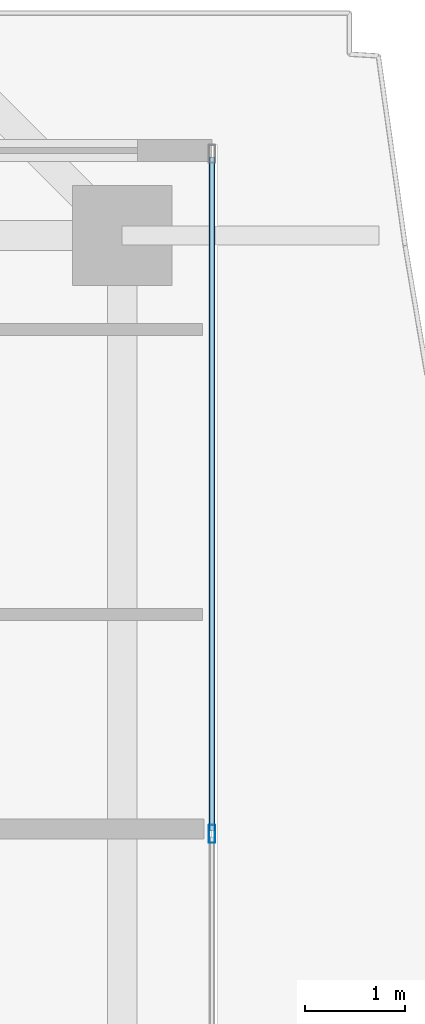
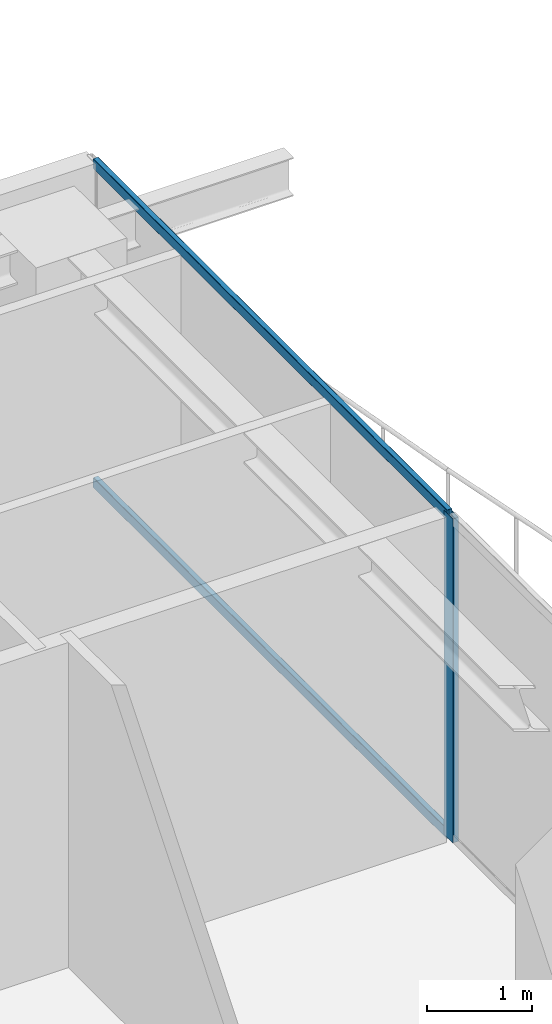
# One storey, part 26 of 42: 3 members, 1 element without a shape of its own.
"""IFC4 building model written with IfcOpenShell, lengths in metres."""

import ifcopenshell
import ifcopenshell.guid

model = None  # the IFC model being written
_history = None  # IfcOwnerHistory: only IFC2X3 demands one
_inside = {}  # id of a spatial element -> (the spatial element, [elements in it])
_under = {}  # id of a project, library or spatial element -> (it, [spatial elements below it])
_declared = {}  # id of a project -> (the project, [libraries it declares])
_typed = {}  # id of a type object -> (the type object, [elements of that type])
_made_of = {}  # id of a material, layer set ... -> (it, [elements and type objects made of it])


def new_model(schema):
    """Start an empty IFC model of exactly this schema.

    Asked for "IFC4X3", IfcOpenShell would pick the latest addendum, in which some entities
    have other attributes; the version numbers below select the first issue.
    IFC2X3 requires an IfcOwnerHistory on every rooted entity: one is made here for all.
    """
    global model, _history
    if schema == "IFC4X3":
        model = ifcopenshell.file(schema_version=(4, 3, 0, 0))
    else:
        model = ifcopenshell.file(schema=schema)
    _inside.clear()
    _under.clear()
    _declared.clear()
    _typed.clear()
    _made_of.clear()
    _history = None
    if model.schema == "IFC2X3":
        org = make("IfcOrganization", Name="unknown")
        user = make(
            "IfcPersonAndOrganization",
            ThePerson=make("IfcPerson", FamilyName="unknown"),
            TheOrganization=org,
        )
        app = make(
            "IfcApplication",
            ApplicationDeveloper=org,
            Version="unknown",
            ApplicationFullName="unknown",
            ApplicationIdentifier="unknown",
        )
        _history = make(
            "IfcOwnerHistory",
            OwningUser=user,
            OwningApplication=app,
            ChangeAction="ADDED",
            CreationDate=0,
        )
    return model


def make(cls, **values):
    """One entity of the class cls with the attributes given. An attribute that is None is left unset."""
    return model.create_entity(
        cls, **{name: value for name, value in values.items() if value is not None}
    )


def rooted(cls, **values):
    """An entity with a GlobalId (a new one), such as an element, a storey or a relation."""
    return make(cls, GlobalId=ifcopenshell.guid.new(), OwnerHistory=_history, **values)


def si_unit(unit_type, name, prefix=None):
    """IfcSIUnit, for example si_unit("LENGTHUNIT", "METRE", prefix="MILLI")."""
    return make("IfcSIUnit", UnitType=unit_type, Prefix=prefix, Name=name)


def assignment(units):
    """IfcUnitAssignment: the units of a project."""
    return None if units is None else make("IfcUnitAssignment", Units=units)


def point(xyz):
    """IfcCartesianPoint."""
    return None if xyz is None else make("IfcCartesianPoint", Coordinates=xyz)


def direction(xyz):
    """IfcDirection."""
    return None if xyz is None else make("IfcDirection", DirectionRatios=xyz)


def frame(location, z_axis=None, x_axis=None):
    """IfcAxis2Placement3D, a coordinate frame: its origin and axes. An axis left out is left unset."""
    return make(
        "IfcAxis2Placement3D",
        Location=point(location),
        Axis=direction(z_axis),
        RefDirection=direction(x_axis),
    )


def frame_2d(location, x_axis=None):
    """IfcAxis2Placement2D, a coordinate frame in the plane: its origin and x axis."""
    return make(
        "IfcAxis2Placement2D", Location=point(location), RefDirection=direction(x_axis)
    )


def origin():
    """The frame at (0, 0, 0) with its axes left unset."""
    return frame((0.0, 0.0, 0.0))


def origin_2d():
    """The frame at (0, 0) in the plane with its x axis left unset."""
    return frame_2d((0.0, 0.0))


def place(relative_to, where):
    """IfcLocalPlacement: puts the frame where relative to a parent placement (None: the world)."""
    return make(
        "IfcLocalPlacement", PlacementRelTo=relative_to, RelativePlacement=where
    )


def context(
    kind, dimensions, precision=None, world=None, true_north=None, identifier=None
):
    """IfcGeometricRepresentationContext, for example the 3D "Model" context."""
    return make(
        "IfcGeometricRepresentationContext",
        ContextIdentifier=identifier,
        ContextType=kind,
        CoordinateSpaceDimension=dimensions,
        Precision=precision,
        WorldCoordinateSystem=world,
        TrueNorth=true_north,
    )


def subcontext(parent, identifier, kind, view, scale=None):
    """IfcGeometricRepresentationSubContext, for example "Body" below "Model"."""
    return make(
        "IfcGeometricRepresentationSubContext",
        ContextIdentifier=identifier,
        ContextType=kind,
        ParentContext=parent,
        TargetScale=scale,
        TargetView=view,
    )


def project(units=None, contexts=None):
    """IfcProject with its units and contexts."""
    return rooted(
        "IfcProject",
        Name="project",
        RepresentationContexts=contexts,
        UnitsInContext=assignment(units),
    )


def spatial(cls, under=None, at=None, **own):
    """A site, building, storey or space (cls), placed at a placement, below another one or the project."""
    s = rooted(cls, ObjectPlacement=at, **own)
    if under is not None:
        _under.setdefault(under.id(), (under, []))[1].append(s)
    return s


def profile(cls, at=None, kind="AREA", **sizes):
    """A parametric profile (cls). Its sizes go by their IFC names, for example OverallWidth=200.0."""
    return make(cls, ProfileType=kind, Position=at, **sizes)


def hollow_rectangle(**sizes):
    """IfcRectangleHollowProfileDef."""
    return profile("IfcRectangleHollowProfileDef", **sizes)


def extrude(swept, where, along, depth):
    """IfcExtrudedAreaSolid: the profile swept, set in the frame where, extruded along a direction by depth."""
    return make(
        "IfcExtrudedAreaSolid",
        SweptArea=swept,
        Position=where,
        ExtrudedDirection=direction(along),
        Depth=depth,
    )


def shape(context_of_items, identifier, shape_type, items):
    """IfcShapeRepresentation: the items that make up one representation, for example the "Body"."""
    return make(
        "IfcShapeRepresentation",
        ContextOfItems=context_of_items,
        RepresentationIdentifier=identifier,
        RepresentationType=shape_type,
        Items=items,
    )


def source(mapping_origin, context_of_items, identifier, shape_type, items):
    """IfcRepresentationMap: a shape defined once, which mapped items show again and again."""
    return make(
        "IfcRepresentationMap",
        MappingOrigin=mapping_origin,
        MappedRepresentation=shape(context_of_items, identifier, shape_type, items),
    )


def transform(
    local_origin,
    x_axis=None,
    y_axis=None,
    z_axis=None,
    scale=None,
    scale2=None,
    scale3=None,
    uniform=True,
):
    """IfcCartesianTransformationOperator3D, or its non-uniform kind. x_axis, y_axis, z_axis: its Axis1, 2, 3."""
    if uniform:
        return make(
            "IfcCartesianTransformationOperator3D",
            Axis1=direction(x_axis),
            Axis2=direction(y_axis),
            LocalOrigin=point(local_origin),
            Scale=scale,
            Axis3=direction(z_axis),
        )
    return make(
        "IfcCartesianTransformationOperator3DnonUniform",
        Axis1=direction(x_axis),
        Axis2=direction(y_axis),
        LocalOrigin=point(local_origin),
        Scale=scale,
        Axis3=direction(z_axis),
        Scale2=scale2,
        Scale3=scale3,
    )


def mapped(mapping_source, mapping_target):
    """IfcMappedItem: shows the shape of a source again, moved by a transform."""
    return make(
        "IfcMappedItem", MappingSource=mapping_source, MappingTarget=mapping_target
    )


def material(Name=None, Category=None):
    """IfcMaterial."""
    return make("IfcMaterial", Name=Name, Category=Category)


def layer(
    of_material, thickness, ventilated=None, Name=None, Category=None, Priority=None
):
    """IfcMaterialLayer: one layer of a wall or slab, of a material (None: an air gap)."""
    return make(
        "IfcMaterialLayer",
        Material=of_material,
        LayerThickness=thickness,
        IsVentilated=ventilated,
        Name=Name,
        Category=Category,
        Priority=Priority,
    )


def layer_set(layers, Name=None):
    """IfcMaterialLayerSet."""
    return make("IfcMaterialLayerSet", MaterialLayers=layers, LayerSetName=Name)


def material_profile(
    of_material, cross_section, Name=None, Category=None, Priority=None
):
    """IfcMaterialProfile: a cross section and its material."""
    return make(
        "IfcMaterialProfile",
        Name=Name,
        Material=of_material,
        Profile=cross_section,
        Priority=Priority,
        Category=Category,
    )


def profile_set(profiles, Name=None, composite=None):
    """IfcMaterialProfileSet."""
    return make(
        "IfcMaterialProfileSet",
        Name=Name,
        MaterialProfiles=profiles,
        CompositeProfile=composite,
    )


def made_of(thing, what):
    """Note that an element or type object is made of a material, layer set ...; save() writes the relation."""
    if what is not None:
        _made_of.setdefault(what.id(), (what, []))[1].append(thing)
    return thing


def type_object(cls, material=None, **own):
    """A type object (cls), such as IfcWallType, which elements share."""
    return made_of(rooted(cls, **own), material)


def element(
    cls,
    number,
    at=None,
    inside=None,
    cuts=None,
    type_object=None,
    material=None,
    context=None,
    identifier="Body",
    shape_type=None,
    held_by="IfcProductDefinitionShape",
    body=None,
    shapes=None,
    **own,
):
    """One element of the class cls, such as IfcWall. Its Tag is "e" and its number.

    at: its placement. inside: the storey or other place that contains it. cuts: it is an
    opening in that element (IfcRelVoidsElement). A single representation is given by context,
    identifier, shape_type and body (its items); several are given by shapes. held_by: the class
    of the entity that holds the representations. save() writes the other relations.
    """
    e = rooted(cls, Tag="e%d" % number, ObjectPlacement=at, **own)
    if body is not None:
        shapes = [shape(context, identifier, shape_type, body)]
    if shapes is not None:
        e.Representation = make(held_by, Representations=shapes)
    if inside is not None:
        _inside.setdefault(inside.id(), (inside, []))[1].append(e)
    if cuts is not None:
        rooted(
            "IfcRelVoidsElement", RelatingBuildingElement=cuts, RelatedOpeningElement=e
        )
    if type_object is not None:
        _typed.setdefault(type_object.id(), (type_object, []))[1].append(e)
    return made_of(e, material)


def aggregate(whole, parts):
    """IfcRelAggregates: a whole, such as a stair, and the parts it consists of."""
    return rooted("IfcRelAggregates", RelatingObject=whole, RelatedObjects=parts)


def save(model, path):
    """Write the relations noted so far, then the file.

    IfcRelAggregates (storeys below a building ...), IfcRelContainedInSpatialStructure (elements
    in a storey), IfcRelDefinesByType, IfcRelAssociatesMaterial and IfcRelDeclares: one each for
    every whole, place, type object, material and project.
    """
    for whole, parts in _under.values():
        aggregate(whole, parts)
    for where, things in _inside.values():
        rooted(
            "IfcRelContainedInSpatialStructure",
            RelatedElements=things,
            RelatingStructure=where,
        )
    for kind, things in _typed.values():
        rooted("IfcRelDefinesByType", RelatedObjects=things, RelatingType=kind)
    for what, things in _made_of.values():
        rooted("IfcRelAssociatesMaterial", RelatedObjects=things, RelatingMaterial=what)
    for by, libraries in _declared.values():
        rooted("IfcRelDeclares", RelatingContext=by, RelatedDefinitions=libraries)
    model.write(path)


model = new_model("IFC4")

# Units and contexts
model_context = context("Model", 3, precision=1e-05, world=origin(), true_north=direction((0.0, 1.0)))
body_context = subcontext(model_context, "Body", "Model", "MODEL_VIEW")
ifc_project = project(units=[si_unit("LENGTHUNIT", "METRE"), si_unit("AREAUNIT", "SQUARE_METRE"), si_unit("VOLUMEUNIT", "CUBIC_METRE"), si_unit("PLANEANGLEUNIT", "RADIAN"), si_unit("MASSUNIT", "GRAM", prefix="KILO")], contexts=[model_context])

# Site, building, storey
site_placement = place(None, origin())
site = spatial("IfcSite", under=ifc_project, at=site_placement, CompositionType="ELEMENT")
building_placement = place(site_placement, origin())
building = spatial("IfcBuilding", under=site, at=building_placement, Name="Serunith Strait Residences", CompositionType="ELEMENT")
storey_placement = place(building_placement, frame((0.0, 0.0, 293.449951171875)))
storey = spatial("IfcBuildingStorey", under=building, at=storey_placement, Name="L73", CompositionType="ELEMENT", Elevation=293.449951171875)

# Curtain wall, members
ifc_material = material(Name="Brushed Stainless-Silver Aluminium", Category="aluminium")
ifc_layer = layer(ifc_material, 0.199951171875, Name="Brushed Stainless-Silver Aluminium")
ifc_layer_set = layer_set([ifc_layer], Name="Brushed Stainless-Silver Aluminium")
curtain_wall_type = type_object("IfcCurtainWallType", Name="CW-SYS5", PredefinedType="NOTDEFINED", material=ifc_layer_set)
curtain_wall_placement = place(storey_placement, origin())
curtain_wall = element("IfcCurtainWall", 1, at=curtain_wall_placement, inside=storey, type_object=curtain_wall_type, Name="L73 E Unitised Fritted Curtain Wall", PredefinedType="NOTDEFINED")
ifc_material_profile_1 = material_profile(ifc_material, hollow_rectangle(XDim=0.06494140625, YDim=0.179931640625, WallThickness=0.00341796875, InnerFilletRadius=0.00537109375, OuterFilletRadius=0.0087890625, at=origin_2d()), Name="ALU 180x65x3.5")
ifc_profile_set_1 = profile_set([ifc_material_profile_1], Name="Brushed Stainless-Silver Aluminium")
member_type_1 = type_object("IfcMemberType", Name="CW-SYS5-MULL", PredefinedType="MULLION", material=ifc_profile_set_1)
shared_shape_1 = source(origin(), body_context, "Body", "SweptSolid", [
    extrude(hollow_rectangle(XDim=0.06494140625, YDim=0.179931640625, WallThickness=0.00341796875, InnerFilletRadius=0.00537109375, OuterFilletRadius=0.0087890625, at=origin_2d()), origin(), (0.0, 0.0, 1.0), 3.775146484375),
])
member_1_placement = place(storey_placement, frame((55.60009765625, 33.550048828125, 0.0), z_axis=(0.0, 0.0, 1.0), x_axis=(-1.0, 0.0, 0.0)))
member_1 = element("IfcMember", 2, at=member_1_placement, type_object=member_type_1, Name="CW-5 mullion 2", PredefinedType="MULLION", context=body_context, shape_type="MappedRepresentation", body=[
    mapped(shared_shape_1, transform((0.0, 0.0, 0.0), scale=1.0)),
])
ifc_material_profile_2 = material_profile(ifc_material, hollow_rectangle(XDim=0.06005859375, YDim=0.1201171875, WallThickness=0.00341796875, InnerFilletRadius=0.00537109375, OuterFilletRadius=0.0087890625, at=origin_2d()), Name="ALU 120x60x3.5")
ifc_profile_set_2 = profile_set([ifc_material_profile_2], Name="Brushed Stainless-Silver Aluminium")
member_type_2 = type_object("IfcMemberType", Name="CW-SYS5-TRAN", PredefinedType="USERDEFINED", material=ifc_profile_set_2)
shared_shape_2 = source(origin(), body_context, "Body", "SweptSolid", [
    extrude(hollow_rectangle(XDim=0.06005859375, YDim=0.1201171875, WallThickness=0.00341796875, InnerFilletRadius=0.00537109375, OuterFilletRadius=0.0087890625, at=origin_2d()), origin(), (0.0, 0.0, 1.0), 6.75244140625),
])
member_2_placement = place(storey_placement, frame((55.60009765625, 33.58251953125, 0.030029296875), z_axis=(0.0, 1.0, 0.0), x_axis=(-1.0, 0.0, 0.0)))
member_2 = element("IfcMember", 3, at=member_2_placement, type_object=member_type_2, Name="CW-5 transom 2.1", ObjectType="TRANSOM", PredefinedType="USERDEFINED", context=body_context, shape_type="MappedRepresentation", body=[
    mapped(shared_shape_2, transform((0.0, 0.0, 0.0), scale=1.0)),
])
member_3_placement = place(storey_placement, frame((55.60009765625, 33.58251953125, 3.7451171875), z_axis=(0.0, 1.0, 0.0), x_axis=(-1.0, 0.0, 0.0)))
member_3 = element("IfcMember", 4, at=member_3_placement, type_object=member_type_2, Name="CW-5 transom 2.2", ObjectType="TRANSOM", PredefinedType="USERDEFINED", context=body_context, shape_type="MappedRepresentation", body=[
    mapped(shared_shape_2, transform((0.0, 0.0, 0.0), scale=1.0)),
])
aggregate(curtain_wall, [member_1, member_2, member_3])

save(model, "model.ifc")
